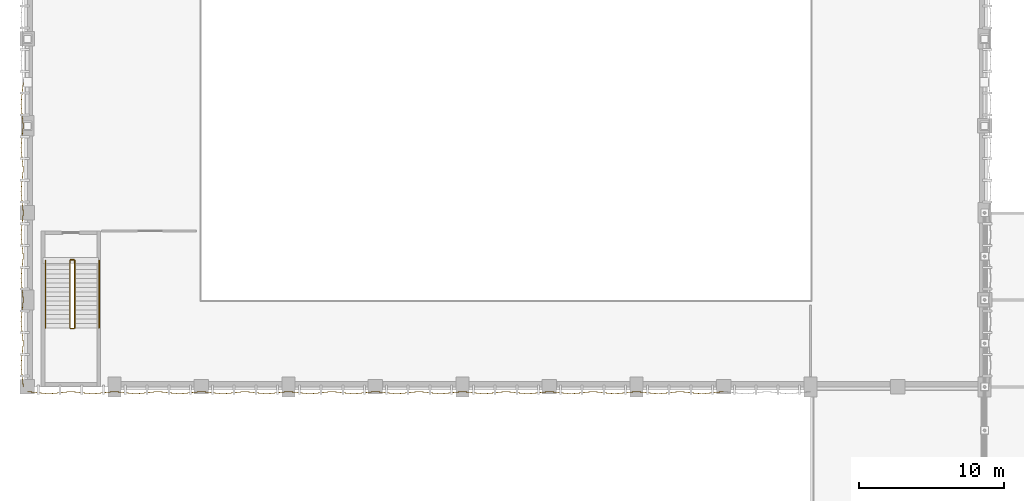
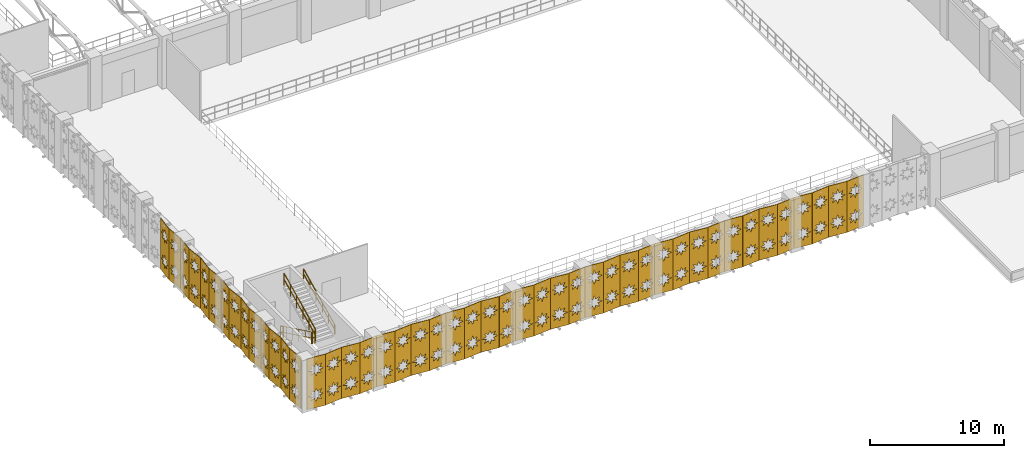
# One storey, part 114 of 123: 46 coverings, 6 railings.
"""IFC4 building model written with IfcOpenShell, lengths in metres."""

import ifcopenshell
import ifcopenshell.guid

model = None  # the IFC model being written
_history = None  # IfcOwnerHistory: only IFC2X3 demands one
_inside = {}  # id of a spatial element -> (the spatial element, [elements in it])
_under = {}  # id of a project, library or spatial element -> (it, [spatial elements below it])
_declared = {}  # id of a project -> (the project, [libraries it declares])
_typed = {}  # id of a type object -> (the type object, [elements of that type])
_made_of = {}  # id of a material, layer set ... -> (it, [elements and type objects made of it])


def new_model(schema):
    """Start an empty IFC model of exactly this schema.

    Asked for "IFC4X3", IfcOpenShell would pick the latest addendum, in which some entities
    have other attributes; the version numbers below select the first issue.
    IFC2X3 requires an IfcOwnerHistory on every rooted entity: one is made here for all.
    """
    global model, _history
    if schema == "IFC4X3":
        model = ifcopenshell.file(schema_version=(4, 3, 0, 0))
    else:
        model = ifcopenshell.file(schema=schema)
    _inside.clear()
    _under.clear()
    _declared.clear()
    _typed.clear()
    _made_of.clear()
    _history = None
    if model.schema == "IFC2X3":
        org = make("IfcOrganization", Name="unknown")
        user = make(
            "IfcPersonAndOrganization",
            ThePerson=make("IfcPerson", FamilyName="unknown"),
            TheOrganization=org,
        )
        app = make(
            "IfcApplication",
            ApplicationDeveloper=org,
            Version="unknown",
            ApplicationFullName="unknown",
            ApplicationIdentifier="unknown",
        )
        _history = make(
            "IfcOwnerHistory",
            OwningUser=user,
            OwningApplication=app,
            ChangeAction="ADDED",
            CreationDate=0,
        )
    return model


def make(cls, **values):
    """One entity of the class cls with the attributes given. An attribute that is None is left unset."""
    return model.create_entity(
        cls, **{name: value for name, value in values.items() if value is not None}
    )


def rooted(cls, **values):
    """An entity with a GlobalId (a new one), such as an element, a storey or a relation."""
    return make(cls, GlobalId=ifcopenshell.guid.new(), OwnerHistory=_history, **values)


def si_unit(unit_type, name, prefix=None):
    """IfcSIUnit, for example si_unit("LENGTHUNIT", "METRE", prefix="MILLI")."""
    return make("IfcSIUnit", UnitType=unit_type, Prefix=prefix, Name=name)


def assignment(units):
    """IfcUnitAssignment: the units of a project."""
    return None if units is None else make("IfcUnitAssignment", Units=units)


def point(xyz):
    """IfcCartesianPoint."""
    return None if xyz is None else make("IfcCartesianPoint", Coordinates=xyz)


def direction(xyz):
    """IfcDirection."""
    return None if xyz is None else make("IfcDirection", DirectionRatios=xyz)


def frame(location, z_axis=None, x_axis=None):
    """IfcAxis2Placement3D, a coordinate frame: its origin and axes. An axis left out is left unset."""
    return make(
        "IfcAxis2Placement3D",
        Location=point(location),
        Axis=direction(z_axis),
        RefDirection=direction(x_axis),
    )


def frame_2d(location, x_axis=None):
    """IfcAxis2Placement2D, a coordinate frame in the plane: its origin and x axis."""
    return make(
        "IfcAxis2Placement2D", Location=point(location), RefDirection=direction(x_axis)
    )


def origin():
    """The frame at (0, 0, 0) with its axes left unset."""
    return frame((0.0, 0.0, 0.0))


def origin_2d():
    """The frame at (0, 0) in the plane with its x axis left unset."""
    return frame_2d((0.0, 0.0))


def place(relative_to, where):
    """IfcLocalPlacement: puts the frame where relative to a parent placement (None: the world)."""
    return make(
        "IfcLocalPlacement", PlacementRelTo=relative_to, RelativePlacement=where
    )


def context(
    kind, dimensions, precision=None, world=None, true_north=None, identifier=None
):
    """IfcGeometricRepresentationContext, for example the 3D "Model" context."""
    return make(
        "IfcGeometricRepresentationContext",
        ContextIdentifier=identifier,
        ContextType=kind,
        CoordinateSpaceDimension=dimensions,
        Precision=precision,
        WorldCoordinateSystem=world,
        TrueNorth=true_north,
    )


def subcontext(parent, identifier, kind, view, scale=None):
    """IfcGeometricRepresentationSubContext, for example "Body" below "Model"."""
    return make(
        "IfcGeometricRepresentationSubContext",
        ContextIdentifier=identifier,
        ContextType=kind,
        ParentContext=parent,
        TargetScale=scale,
        TargetView=view,
    )


def project(units=None, contexts=None):
    """IfcProject with its units and contexts."""
    return rooted(
        "IfcProject",
        Name="project",
        RepresentationContexts=contexts,
        UnitsInContext=assignment(units),
    )


def spatial(cls, under=None, at=None, **own):
    """A site, building, storey or space (cls), placed at a placement, below another one or the project."""
    s = rooted(cls, ObjectPlacement=at, **own)
    if under is not None:
        _under.setdefault(under.id(), (under, []))[1].append(s)
    return s


def polyline(points):
    """IfcPolyline through the points."""
    return make("IfcPolyline", Points=[point(p) for p in points])


def profile(cls, at=None, kind="AREA", **sizes):
    """A parametric profile (cls). Its sizes go by their IFC names, for example OverallWidth=200.0."""
    return make(cls, ProfileType=kind, Position=at, **sizes)


def circle(**sizes):
    """IfcCircleProfileDef."""
    return profile("IfcCircleProfileDef", **sizes)


def outline(outer, holes=None, kind="AREA"):
    """IfcArbitraryClosedProfileDef: a profile drawn as a closed curve; with holes, ...WithVoids."""
    if holes is None:
        return make("IfcArbitraryClosedProfileDef", ProfileType=kind, OuterCurve=outer)
    return make(
        "IfcArbitraryProfileDefWithVoids",
        ProfileType=kind,
        OuterCurve=outer,
        InnerCurves=holes,
    )


def extrude(swept, where, along, depth):
    """IfcExtrudedAreaSolid: the profile swept, set in the frame where, extruded along a direction by depth."""
    return make(
        "IfcExtrudedAreaSolid",
        SweptArea=swept,
        Position=where,
        ExtrudedDirection=direction(along),
        Depth=depth,
    )


def shape(context_of_items, identifier, shape_type, items):
    """IfcShapeRepresentation: the items that make up one representation, for example the "Body"."""
    return make(
        "IfcShapeRepresentation",
        ContextOfItems=context_of_items,
        RepresentationIdentifier=identifier,
        RepresentationType=shape_type,
        Items=items,
    )


def material(Name=None, Category=None):
    """IfcMaterial."""
    return make("IfcMaterial", Name=Name, Category=Category)


def layer(
    of_material, thickness, ventilated=None, Name=None, Category=None, Priority=None
):
    """IfcMaterialLayer: one layer of a wall or slab, of a material (None: an air gap)."""
    return make(
        "IfcMaterialLayer",
        Material=of_material,
        LayerThickness=thickness,
        IsVentilated=ventilated,
        Name=Name,
        Category=Category,
        Priority=Priority,
    )


def layer_set(layers, Name=None):
    """IfcMaterialLayerSet."""
    return make("IfcMaterialLayerSet", MaterialLayers=layers, LayerSetName=Name)


def made_of(thing, what):
    """Note that an element or type object is made of a material, layer set ...; save() writes the relation."""
    if what is not None:
        _made_of.setdefault(what.id(), (what, []))[1].append(thing)
    return thing


def type_object(cls, material=None, **own):
    """A type object (cls), such as IfcWallType, which elements share."""
    return made_of(rooted(cls, **own), material)


def element(
    cls,
    number,
    at=None,
    inside=None,
    cuts=None,
    type_object=None,
    material=None,
    context=None,
    identifier="Body",
    shape_type=None,
    held_by="IfcProductDefinitionShape",
    body=None,
    shapes=None,
    **own,
):
    """One element of the class cls, such as IfcWall. Its Tag is "e" and its number.

    at: its placement. inside: the storey or other place that contains it. cuts: it is an
    opening in that element (IfcRelVoidsElement). A single representation is given by context,
    identifier, shape_type and body (its items); several are given by shapes. held_by: the class
    of the entity that holds the representations. save() writes the other relations.
    """
    e = rooted(cls, Tag="e%d" % number, ObjectPlacement=at, **own)
    if body is not None:
        shapes = [shape(context, identifier, shape_type, body)]
    if shapes is not None:
        e.Representation = make(held_by, Representations=shapes)
    if inside is not None:
        _inside.setdefault(inside.id(), (inside, []))[1].append(e)
    if cuts is not None:
        rooted(
            "IfcRelVoidsElement", RelatingBuildingElement=cuts, RelatedOpeningElement=e
        )
    if type_object is not None:
        _typed.setdefault(type_object.id(), (type_object, []))[1].append(e)
    return made_of(e, material)


def aggregate(whole, parts):
    """IfcRelAggregates: a whole, such as a stair, and the parts it consists of."""
    return rooted("IfcRelAggregates", RelatingObject=whole, RelatedObjects=parts)


def save(model, path):
    """Write the relations noted so far, then the file.

    IfcRelAggregates (storeys below a building ...), IfcRelContainedInSpatialStructure (elements
    in a storey), IfcRelDefinesByType, IfcRelAssociatesMaterial and IfcRelDeclares: one each for
    every whole, place, type object, material and project.
    """
    for whole, parts in _under.values():
        aggregate(whole, parts)
    for where, things in _inside.values():
        rooted(
            "IfcRelContainedInSpatialStructure",
            RelatedElements=things,
            RelatingStructure=where,
        )
    for kind, things in _typed.values():
        rooted("IfcRelDefinesByType", RelatedObjects=things, RelatingType=kind)
    for what, things in _made_of.values():
        rooted("IfcRelAssociatesMaterial", RelatedObjects=things, RelatingMaterial=what)
    for by, libraries in _declared.values():
        rooted("IfcRelDeclares", RelatingContext=by, RelatedDefinitions=libraries)
    model.write(path)


model = new_model("IFC4")

# Units and contexts
model_context = context("Model", 3, precision=1e-05, world=origin(), true_north=direction((0.0, 1.0)))
body_context = subcontext(model_context, "Body", "Model", "MODEL_VIEW")
ifc_project = project(units=[si_unit("LENGTHUNIT", "METRE"), si_unit("AREAUNIT", "SQUARE_METRE"), si_unit("VOLUMEUNIT", "CUBIC_METRE"), si_unit("PLANEANGLEUNIT", "RADIAN"), si_unit("MASSUNIT", "GRAM", prefix="KILO"), si_unit("THERMODYNAMICTEMPERATUREUNIT", "KELVIN"), si_unit("POWERUNIT", "WATT")], contexts=[model_context])

# Site, building, storey
site_placement = place(None, origin())
site = spatial("IfcSite", under=ifc_project, at=site_placement, CompositionType="ELEMENT")
building_placement = place(site_placement, origin())
building = spatial("IfcBuilding", under=site, at=building_placement, Name="Phaisarnlok Congress Hotel", CompositionType="ELEMENT")
storey_placement = place(building_placement, frame((0.0, 0.0, 15.0)))
storey = spatial("IfcBuildingStorey", under=building, at=storey_placement, Name="L03", CompositionType="ELEMENT", Elevation=15.0)

# Coverings
ifc_material_1 = material(Name="PVDF White Perforated Aluminium Alloy 5052", Category="aluminium")
ifc_layer = layer(ifc_material_1, 0.0400390625, Name="PVDF White Perforated Aluminium Alloy 5052")
ifc_layer_set = layer_set([ifc_layer], Name="PVDF White Perforated Aluminium Alloy 5052")
covering_type = type_object("IfcCoveringType", Name="COV-STAR-FOLD", PredefinedType="CLADDING", material=ifc_layer_set)
for number, where, z_axis, x_axis, name in (
    (1, (-0.300048828125, 42.0, 0.06005859375), (0.994517863207, 0.104566819602, 0.0), (-0.104566819602, 0.994517863207, 0.0), "Folded star-perforated hall screen SS-02 (V1W L03)"),
    (2, (-0.457763671875, 43.5, 0.06005859375), (0.994517863207, -0.104566819602, 0.0), (0.104566819602, 0.994517863207, 0.0), "Folded star-perforated hall screen SS-02 (V1W L03)"),
    (3, (-0.300048828125, 45.0, 0.06005859375), (0.994517863207, 0.104566819602, 0.0), (-0.104566819602, 0.994517863207, 0.0), "Folded star-perforated hall screen SS-02 (V1W L03)"),
    (4, (-0.457763671875, 46.5, 0.06005859375), (0.994517863207, -0.104566819602, 0.0), (0.104566819602, 0.994517863207, 0.0), "Folded star-perforated hall screen SS-02 (V1W L03)"),
    (5, (-0.300048828125, 48.0, 0.06005859375), (0.994517863207, 0.104566819602, 0.0), (-0.104566819602, 0.994517863207, 0.0), "Folded star-perforated hall screen SS-02 (V1W L03)"),
    (6, (-0.457763671875, 49.5, 0.06005859375), (0.994517863207, -0.104566819602, 0.0), (0.104566819602, 0.994517863207, 0.0), "Folded star-perforated hall screen SS-02 (V1W L03)"),
    (7, (-0.300048828125, 51.0, 0.06005859375), (0.994517863207, 0.104566819602, 0.0), (-0.104566819602, 0.994517863207, 0.0), "Folded star-perforated hall screen SS-02 (V1W L03)"),
    (8, (-0.457763671875, 52.5, 0.06005859375), (0.994517863207, -0.104566819602, 0.0), (0.104566819602, 0.994517863207, 0.0), "Folded star-perforated hall screen SS-02 (V1W L03)"),
    (9, (-0.300048828125, 54.0, 0.06005859375), (0.994517863207, 0.104566819602, 0.0), (-0.104566819602, 0.994517863207, 0.0), "Folded star-perforated hall screen SS-02 (V1W L03)"),
    (10, (-0.457763671875, 55.5, 0.06005859375), (0.994517863207, -0.104566819602, 0.0), (0.104566819602, 0.994517863207, 0.0), "Folded star-perforated hall screen SS-02 (V1W L03)"),
    (11, (-0.300048828125, 57.0, 0.06005859375), (0.994517863207, 0.104566819602, 0.0), (-0.104566819602, 0.994517863207, 0.0), "Folded star-perforated hall screen SS-02 (V1W L03)"),
    (12, (-0.457763671875, 58.5, 0.06005859375), (0.994517863207, -0.104566819602, 0.0), (0.104566819602, 0.994517863207, 0.0), "Folded star-perforated hall screen SS-02 (V1W L03)"),
    (13, (-0.300048828125, 60.0, 0.06005859375), (0.994517863207, 0.104566819602, 0.0), (-0.104566819602, 0.994517863207, 0.0), "Folded star-perforated hall screen SS-02 (V1W L03)"),
    (14, (-0.457763671875, 61.5, 0.06005859375), (0.994517863207, -0.104566819602, 0.0), (0.104566819602, 0.994517863207, 0.0), "Folded star-perforated hall screen SS-02 (V1W L03)"),
    (15, (0.0, 41.699951171875, 0.06005859375), (-0.104566819602, -0.994517863207, 0.0), (0.994517863207, -0.104566819602, 0.0), "Folded star-perforated hall screen SS-02 (V1S L03)"),
    (16, (1.5, 41.542236328125, 0.06005859375), (0.104566819602, -0.994517863207, 0.0), (0.994517863207, 0.104566819602, 0.0), "Folded star-perforated hall screen SS-02 (V1S L03)"),
    (17, (3.0, 41.699951171875, 0.06005859375), (-0.104566819602, -0.994517863207, 0.0), (0.994517863207, -0.104566819602, 0.0), "Folded star-perforated hall screen SS-02 (V1S L03)"),
    (18, (4.5, 41.542236328125, 0.06005859375), (0.104566819602, -0.994517863207, 0.0), (0.994517863207, 0.104566819602, 0.0), "Folded star-perforated hall screen SS-02 (V1S L03)"),
    (19, (6.0, 41.699951171875, 0.06005859375), (-0.104566819602, -0.994517863207, 0.0), (0.994517863207, -0.104566819602, 0.0), "Folded star-perforated hall screen SS-02 (V1S L03)"),
    (20, (7.5, 41.542236328125, 0.06005859375), (0.104566819602, -0.994517863207, 0.0), (0.994517863207, 0.104566819602, 0.0), "Folded star-perforated hall screen SS-02 (V1S L03)"),
    (21, (9.0, 41.699951171875, 0.06005859375), (-0.104566819602, -0.994517863207, 0.0), (0.994517863207, -0.104566819602, 0.0), "Folded star-perforated hall screen SS-02 (V1S L03)"),
    (22, (10.5, 41.542236328125, 0.06005859375), (0.104566819602, -0.994517863207, 0.0), (0.994517863207, 0.104566819602, 0.0), "Folded star-perforated hall screen SS-02 (V1S L03)"),
    (23, (12.0, 41.699951171875, 0.06005859375), (-0.104566819602, -0.994517863207, 0.0), (0.994517863207, -0.104566819602, 0.0), "Folded star-perforated hall screen SS-02 (V1S L03)"),
    (24, (13.5, 41.542236328125, 0.06005859375), (0.104566819602, -0.994517863207, 0.0), (0.994517863207, 0.104566819602, 0.0), "Folded star-perforated hall screen SS-02 (V1S L03)"),
    (25, (15.0, 41.699951171875, 0.06005859375), (-0.104566819602, -0.994517863207, 0.0), (0.994517863207, -0.104566819602, 0.0), "Folded star-perforated hall screen SS-02 (V1S L03)"),
    (26, (16.5, 41.542236328125, 0.06005859375), (0.104566819602, -0.994517863207, 0.0), (0.994517863207, 0.104566819602, 0.0), "Folded star-perforated hall screen SS-02 (V1S L03)"),
    (27, (18.0, 41.699951171875, 0.06005859375), (-0.104566819602, -0.994517863207, 0.0), (0.994517863207, -0.104566819602, 0.0), "Folded star-perforated hall screen SS-02 (V1S L03)"),
    (28, (19.5, 41.542236328125, 0.06005859375), (0.104566819602, -0.994517863207, 0.0), (0.994517863207, 0.104566819602, 0.0), "Folded star-perforated hall screen SS-02 (V1S L03)"),
    (29, (21.0, 41.699951171875, 0.06005859375), (-0.104566819602, -0.994517863207, 0.0), (0.994517863207, -0.104566819602, 0.0), "Folded star-perforated hall screen SS-02 (V1S L03)"),
    (30, (22.5, 41.542236328125, 0.06005859375), (0.104566819602, -0.994517863207, 0.0), (0.994517863207, 0.104566819602, 0.0), "Folded star-perforated hall screen SS-02 (V1S L03)"),
    (31, (24.0, 41.699951171875, 0.06005859375), (-0.104566819602, -0.994517863207, 0.0), (0.994517863207, -0.104566819602, 0.0), "Folded star-perforated hall screen SS-02 (V1S L03)"),
    (32, (25.5, 41.542236328125, 0.06005859375), (0.104566819602, -0.994517863207, 0.0), (0.994517863207, 0.104566819602, 0.0), "Folded star-perforated hall screen SS-02 (V1S L03)"),
    (33, (27.0, 41.699951171875, 0.06005859375), (-0.104566819602, -0.994517863207, 0.0), (0.994517863207, -0.104566819602, 0.0), "Folded star-perforated hall screen SS-02 (V1S L03)"),
    (34, (28.5, 41.542236328125, 0.06005859375), (0.104566819602, -0.994517863207, 0.0), (0.994517863207, 0.104566819602, 0.0), "Folded star-perforated hall screen SS-02 (V1S L03)"),
    (35, (30.0, 41.699951171875, 0.06005859375), (-0.104566819602, -0.994517863207, 0.0), (0.994517863207, -0.104566819602, 0.0), "Folded star-perforated hall screen SS-02 (V1S L03)"),
    (36, (31.5, 41.542236328125, 0.06005859375), (0.104566819602, -0.994517863207, 0.0), (0.994517863207, 0.104566819602, 0.0), "Folded star-perforated hall screen SS-02 (V1S L03)"),
    (37, (33.0, 41.699951171875, 0.06005859375), (-0.104566819602, -0.994517863207, 0.0), (0.994517863207, -0.104566819602, 0.0), "Folded star-perforated hall screen SS-02 (V1S L03)"),
    (38, (34.5, 41.542236328125, 0.06005859375), (0.104566819602, -0.994517863207, 0.0), (0.994517863207, 0.104566819602, 0.0), "Folded star-perforated hall screen SS-02 (V1S L03)"),
    (39, (36.0, 41.699951171875, 0.06005859375), (-0.104566819602, -0.994517863207, 0.0), (0.994517863207, -0.104566819602, 0.0), "Folded star-perforated hall screen SS-02 (V1S L03)"),
    (40, (37.5, 41.542236328125, 0.06005859375), (0.104566819602, -0.994517863207, 0.0), (0.994517863207, 0.104566819602, 0.0), "Folded star-perforated hall screen SS-02 (V1S L03)"),
    (41, (39.0, 41.699951171875, 0.06005859375), (-0.104566819602, -0.994517863207, 0.0), (0.994517863207, -0.104566819602, 0.0), "Folded star-perforated hall screen SS-02 (V1S L03)"),
    (42, (40.5, 41.542236328125, 0.06005859375), (0.104566819602, -0.994517863207, 0.0), (0.994517863207, 0.104566819602, 0.0), "Folded star-perforated hall screen SS-02 (V1S L03)"),
    (43, (42.0, 41.699951171875, 0.06005859375), (-0.104566819602, -0.994517863207, 0.0), (0.994517863207, -0.104566819602, 0.0), "Folded star-perforated hall screen SS-02 (V1S L03)"),
    (44, (43.5, 41.542236328125, 0.06005859375), (0.104566819602, -0.994517863207, 0.0), (0.994517863207, 0.104566819602, 0.0), "Folded star-perforated hall screen SS-02 (V1S L03)"),
    (45, (45.0, 41.699951171875, 0.06005859375), (-0.104566819602, -0.994517863207, 0.0), (0.994517863207, -0.104566819602, 0.0), "Folded star-perforated hall screen SS-02 (V1S L03)"),
    (46, (46.5, 41.542236328125, 0.06005859375), (0.104566819602, -0.994517863207, 0.0), (0.994517863207, 0.104566819602, 0.0), "Folded star-perforated hall screen SS-02 (V1S L03)"),
):
    element("IfcCovering", number, at=place(storey_placement, frame(where, z_axis=z_axis, x_axis=x_axis)), inside=storey, type_object=covering_type, Name=name, PredefinedType="CLADDING", context=body_context, shape_type="SweptSolid", body=[
        extrude(outline(polyline([(0.0, 0.0), (1.5082685344258453, 0.0), (1.5082685344258453, 4.659912109375), (0.0, 4.659912109375), (0.0, 0.0)]), holes=[polyline([(1.0351, 1.0486), (1.2021, 0.7171), (0.8705, 0.8841), (0.7541, 0.5315), (0.6378, 0.8841), (0.3062, 0.7171), (0.4732, 1.0486), (0.1207, 1.165), (0.4732, 1.2814), (0.3062, 1.6129), (0.6378, 1.4459), (0.7541, 1.7985), (0.8705, 1.4459), (1.2021, 1.6129), (1.0351, 1.2814), (1.3876, 1.165), (1.0351, 1.0486)]), polyline([(1.0351, 3.3786), (1.2021, 3.0471), (0.8705, 3.2141), (0.7541, 2.8615), (0.6378, 3.2141), (0.3062, 3.0471), (0.4732, 3.3786), (0.1207, 3.495), (0.4732, 3.6114), (0.3062, 3.9429), (0.6378, 3.7759), (0.7541, 4.1285), (0.8705, 3.7759), (1.2021, 3.9429), (1.0351, 3.6114), (1.3876, 3.495), (1.0351, 3.3786)])]), origin(), (0.0, 0.0, 1.0), 0.0400390625),
    ])

# Railings
ifc_material_2 = material(Name="Painted Galvanised Steel S275", Category="steel")
railing_type_1 = type_object("IfcRailingType", Name="RLG-STR-GUARD", PredefinedType="BALUSTRADE", material=ifc_material_2)
railing_1_placement = place(storey_placement, frame((2.929931640625, 50.719970703125, 0.14990234375)))
element("IfcRailing", 47, at=railing_1_placement, inside=storey, type_object=railing_type_1, Name="L03 ST-03 stair guard 1", PredefinedType="BALUSTRADE", context=body_context, shape_type="SweptSolid", body=[
    extrude(circle(Radius=0.02392578125, at=origin_2d()), frame((0.0, 0.0, 1.076171875), z_axis=(0.0, -0.900155664878, 0.435568340204), x_axis=(1.0, 0.0, 0.0)), (0.0, 0.0, 1.0), 5.165771484375),
    extrude(circle(Radius=0.02392578125, at=origin_2d()), frame((0.0, 0.0, 0.52587890625), z_axis=(0.0, -0.900155664878, 0.435568340204), x_axis=(1.0, 0.0, 0.0)), (0.0, 0.0, 1.0), 5.165771484375),
    extrude(circle(Radius=0.02099609375, at=origin_2d()), origin(), (0.0, 0.0, 1.0), 1.052001953125),
    extrude(circle(Radius=0.02099609375, at=origin_2d()), frame((0.0, -0.929931640625, 0.449951171875)), (0.0, 0.0, 1.0), 1.052001953125),
    extrude(circle(Radius=0.02099609375, at=origin_2d()), frame((0.0, -1.85986328125, 0.89990234375)), (0.0, 0.0, 1.0), 1.052001953125),
    extrude(circle(Radius=0.02099609375, at=origin_2d()), frame((0.0, -2.7900390625, 1.35009765625)), (0.0, 0.0, 1.0), 1.052001953125),
    extrude(circle(Radius=0.02099609375, at=origin_2d()), frame((0.0, -3.719970703125, 1.800048828125)), (0.0, 0.0, 1.0), 1.052001953125),
    extrude(circle(Radius=0.02099609375, at=origin_2d()), frame((0.0, -4.64990234375, 2.25)), (0.0, 0.0, 1.0), 1.052001953125),
])
railing_2_placement = place(storey_placement, frame((2.97998046875, 46.02001953125, 2.39990234375)))
element("IfcRailing", 48, at=railing_2_placement, inside=storey, type_object=railing_type_1, Name="L03 ST-03 stair guard 2", PredefinedType="BALUSTRADE", context=body_context, shape_type="SweptSolid", body=[
    extrude(circle(Radius=0.02392578125, at=origin_2d()), frame((0.0, 0.0, 1.076171875), z_axis=(1.0, 0.0, 0.0), x_axis=(0.0, 1.0, 0.0)), (0.0, 0.0, 1.0), 0.239990234375),
    extrude(circle(Radius=0.02392578125, at=origin_2d()), frame((0.0, 0.0, 0.52587890625), z_axis=(1.0, 0.0, 0.0), x_axis=(0.0, 1.0, 0.0)), (0.0, 0.0, 1.0), 0.239990234375),
    extrude(circle(Radius=0.02099609375, at=origin_2d()), origin(), (0.0, 0.0, 1.0), 1.052001953125),
    extrude(circle(Radius=0.02099609375, at=origin_2d()), frame((0.239990234375, 0.0, 0.0)), (0.0, 0.0, 1.0), 1.052001953125),
])
railing_3_placement = place(storey_placement, frame((3.27001953125, 46.070068359375, 2.550048828125)))
element("IfcRailing", 49, at=railing_3_placement, inside=storey, type_object=railing_type_1, Name="L03 ST-03 stair guard 3", PredefinedType="BALUSTRADE", context=body_context, shape_type="SweptSolid", body=[
    extrude(circle(Radius=0.02392578125, at=origin_2d()), frame((0.0, 0.0, 1.076171875), z_axis=(0.0, 0.900155664878, 0.435568340204), x_axis=(-1.0, 0.0, 0.0)), (0.0, 0.0, 1.0), 5.165771484375),
    extrude(circle(Radius=0.02392578125, at=origin_2d()), frame((0.0, 0.0, 0.52587890625), z_axis=(0.0, 0.900155664878, 0.435568340204), x_axis=(-1.0, 0.0, 0.0)), (0.0, 0.0, 1.0), 5.165771484375),
    extrude(circle(Radius=0.02099609375, at=origin_2d()), origin(), (0.0, 0.0, 1.0), 1.052001953125),
    extrude(circle(Radius=0.02099609375, at=origin_2d()), frame((0.0, 0.929931640625, 0.449951171875)), (0.0, 0.0, 1.0), 1.052001953125),
    extrude(circle(Radius=0.02099609375, at=origin_2d()), frame((0.0, 1.85986328125, 0.89990234375)), (0.0, 0.0, 1.0), 1.052001953125),
    extrude(circle(Radius=0.02099609375, at=origin_2d()), frame((0.0, 2.7900390625, 1.35009765625)), (0.0, 0.0, 1.0), 1.052001953125),
    extrude(circle(Radius=0.02099609375, at=origin_2d()), frame((0.0, 3.719970703125, 1.800048828125)), (0.0, 0.0, 1.0), 1.052001953125),
    extrude(circle(Radius=0.02099609375, at=origin_2d()), frame((0.0, 4.64990234375, 2.25)), (0.0, 0.0, 1.0), 1.052001953125),
])
railing_4_placement = place(storey_placement, frame((2.97998046875, 50.77001953125, 0.0)))
element("IfcRailing", 50, at=railing_4_placement, inside=storey, type_object=railing_type_1, Name="L03 ST-03 stair guard 4", PredefinedType="BALUSTRADE", context=body_context, shape_type="SweptSolid", body=[
    extrude(circle(Radius=0.02392578125, at=origin_2d()), frame((0.0, 0.0, 1.076171875), z_axis=(1.0, 0.0, 0.0), x_axis=(0.0, 1.0, 0.0)), (0.0, 0.0, 1.0), 0.239990234375),
    extrude(circle(Radius=0.02392578125, at=origin_2d()), frame((0.0, 0.0, 0.52587890625), z_axis=(1.0, 0.0, 0.0), x_axis=(0.0, 1.0, 0.0)), (0.0, 0.0, 1.0), 0.239990234375),
    extrude(circle(Radius=0.02099609375, at=origin_2d()), origin(), (0.0, 0.0, 1.0), 1.052001953125),
    extrude(circle(Radius=0.02099609375, at=origin_2d()), frame((0.239990234375, 0.0, 0.0)), (0.0, 0.0, 1.0), 1.052001953125),
])
ifc_material_3 = material(Name="Brushed Stainless Steel Grade 304", Category="steel")
railing_type_2 = type_object("IfcRailingType", Name="RLG-STR-HRAIL", PredefinedType="HANDRAIL", material=ifc_material_3)
railing_5_placement = place(storey_placement, frame((1.25, 50.719970703125, 0.14990234375)))
element("IfcRailing", 51, at=railing_5_placement, inside=storey, type_object=railing_type_2, Name="L03 ST-03 stair handrail 1", PredefinedType="HANDRAIL", context=body_context, shape_type="SweptSolid", body=[
    extrude(circle(Radius=0.02392578125, at=origin_2d()), frame((0.0, 0.0, 0.8759765625), z_axis=(0.0, -0.900155664878, 0.435568340204), x_axis=(1.0, 0.0, 0.0)), (0.0, 0.0, 1.0), 5.165771484375),
    extrude(circle(Radius=0.02392578125, at=origin_2d()), frame((0.0, 0.0, 0.42578125), z_axis=(0.0, -0.900155664878, 0.435568340204), x_axis=(1.0, 0.0, 0.0)), (0.0, 0.0, 1.0), 5.165771484375),
    extrude(circle(Radius=0.02099609375, at=origin_2d()), origin(), (0.0, 0.0, 1.0), 0.851806640625),
    extrude(circle(Radius=0.02099609375, at=origin_2d()), frame((0.0, -0.929931640625, 0.449951171875)), (0.0, 0.0, 1.0), 0.851806640625),
    extrude(circle(Radius=0.02099609375, at=origin_2d()), frame((0.0, -1.85986328125, 0.89990234375)), (0.0, 0.0, 1.0), 0.851806640625),
    extrude(circle(Radius=0.02099609375, at=origin_2d()), frame((0.0, -2.7900390625, 1.35009765625)), (0.0, 0.0, 1.0), 0.851806640625),
    extrude(circle(Radius=0.02099609375, at=origin_2d()), frame((0.0, -3.719970703125, 1.800048828125)), (0.0, 0.0, 1.0), 0.851806640625),
    extrude(circle(Radius=0.02099609375, at=origin_2d()), frame((0.0, -4.64990234375, 2.25)), (0.0, 0.0, 1.0), 0.851806640625),
])
railing_6_placement = place(storey_placement, frame((4.949951171875, 46.070068359375, 2.550048828125)))
element("IfcRailing", 52, at=railing_6_placement, inside=storey, type_object=railing_type_2, Name="L03 ST-03 stair handrail 2", PredefinedType="HANDRAIL", context=body_context, shape_type="SweptSolid", body=[
    extrude(circle(Radius=0.02392578125, at=origin_2d()), frame((0.0, 0.0, 0.8759765625), z_axis=(0.0, 0.900155664878, 0.435568340204), x_axis=(-1.0, 0.0, 0.0)), (0.0, 0.0, 1.0), 5.165771484375),
    extrude(circle(Radius=0.02392578125, at=origin_2d()), frame((0.0, 0.0, 0.42578125), z_axis=(0.0, 0.900155664878, 0.435568340204), x_axis=(-1.0, 0.0, 0.0)), (0.0, 0.0, 1.0), 5.165771484375),
    extrude(circle(Radius=0.02099609375, at=origin_2d()), origin(), (0.0, 0.0, 1.0), 0.851806640625),
    extrude(circle(Radius=0.02099609375, at=origin_2d()), frame((0.0, 0.929931640625, 0.449951171875)), (0.0, 0.0, 1.0), 0.851806640625),
    extrude(circle(Radius=0.02099609375, at=origin_2d()), frame((0.0, 1.85986328125, 0.89990234375)), (0.0, 0.0, 1.0), 0.851806640625),
    extrude(circle(Radius=0.02099609375, at=origin_2d()), frame((0.0, 2.7900390625, 1.35009765625)), (0.0, 0.0, 1.0), 0.851806640625),
    extrude(circle(Radius=0.02099609375, at=origin_2d()), frame((0.0, 3.719970703125, 1.800048828125)), (0.0, 0.0, 1.0), 0.851806640625),
    extrude(circle(Radius=0.02099609375, at=origin_2d()), frame((0.0, 4.64990234375, 2.25)), (0.0, 0.0, 1.0), 0.851806640625),
])

save(model, "model.ifc")
